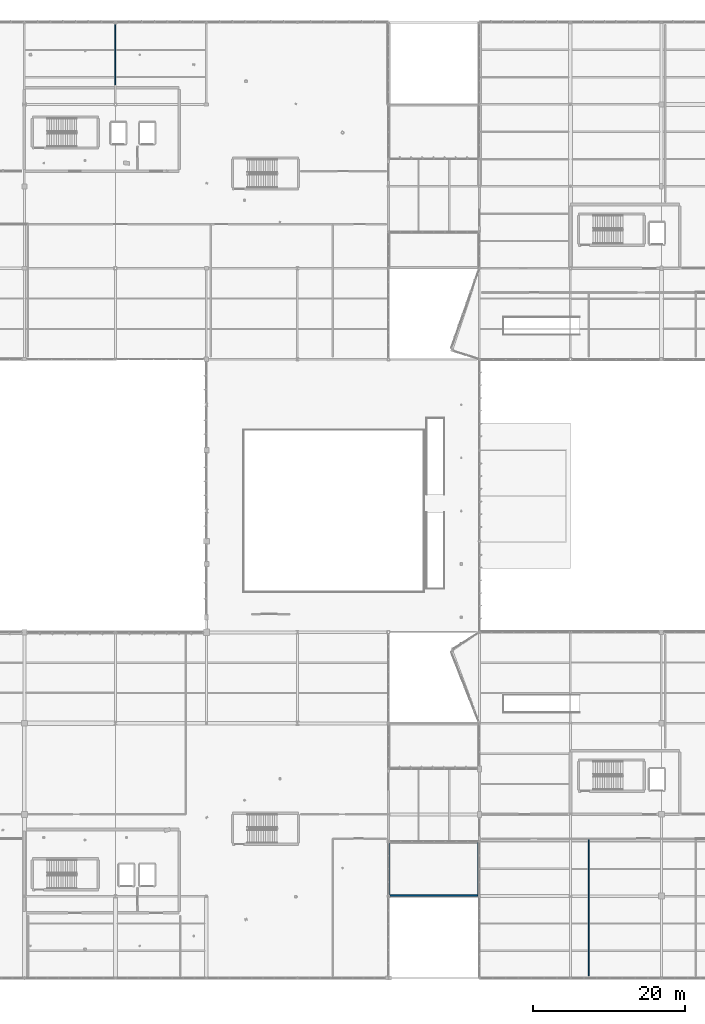
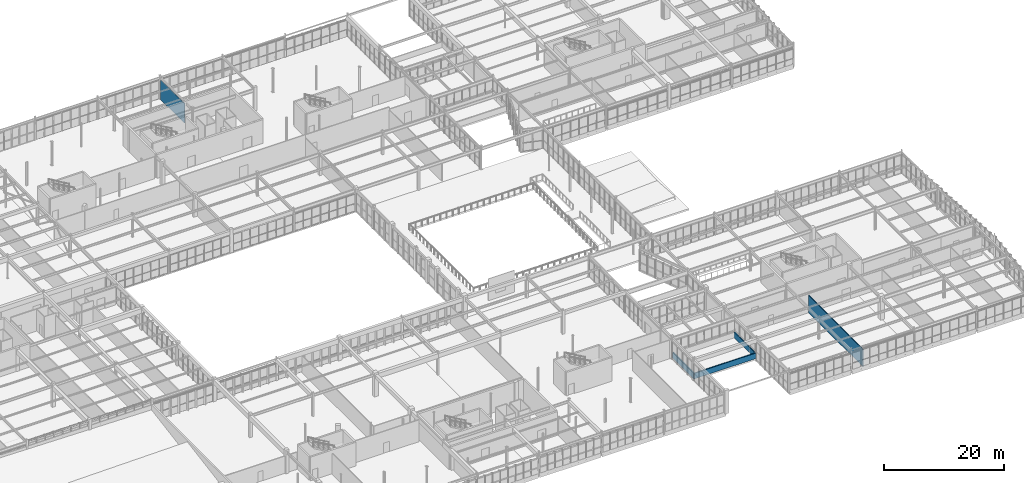
# One storey, part 196 of 226: 5 walls.
"""IFC4 building model written with IfcOpenShell, lengths in metres."""

import ifcopenshell
import ifcopenshell.guid

model = None  # the IFC model being written
_history = None  # IfcOwnerHistory: only IFC2X3 demands one
_inside = {}  # id of a spatial element -> (the spatial element, [elements in it])
_under = {}  # id of a project, library or spatial element -> (it, [spatial elements below it])
_declared = {}  # id of a project -> (the project, [libraries it declares])
_typed = {}  # id of a type object -> (the type object, [elements of that type])
_made_of = {}  # id of a material, layer set ... -> (it, [elements and type objects made of it])


def new_model(schema):
    """Start an empty IFC model of exactly this schema.

    Asked for "IFC4X3", IfcOpenShell would pick the latest addendum, in which some entities
    have other attributes; the version numbers below select the first issue.
    IFC2X3 requires an IfcOwnerHistory on every rooted entity: one is made here for all.
    """
    global model, _history
    if schema == "IFC4X3":
        model = ifcopenshell.file(schema_version=(4, 3, 0, 0))
    else:
        model = ifcopenshell.file(schema=schema)
    _inside.clear()
    _under.clear()
    _declared.clear()
    _typed.clear()
    _made_of.clear()
    _history = None
    if model.schema == "IFC2X3":
        org = make("IfcOrganization", Name="unknown")
        user = make(
            "IfcPersonAndOrganization",
            ThePerson=make("IfcPerson", FamilyName="unknown"),
            TheOrganization=org,
        )
        app = make(
            "IfcApplication",
            ApplicationDeveloper=org,
            Version="unknown",
            ApplicationFullName="unknown",
            ApplicationIdentifier="unknown",
        )
        _history = make(
            "IfcOwnerHistory",
            OwningUser=user,
            OwningApplication=app,
            ChangeAction="ADDED",
            CreationDate=0,
        )
    return model


def make(cls, **values):
    """One entity of the class cls with the attributes given. An attribute that is None is left unset."""
    return model.create_entity(
        cls, **{name: value for name, value in values.items() if value is not None}
    )


def rooted(cls, **values):
    """An entity with a GlobalId (a new one), such as an element, a storey or a relation."""
    return make(cls, GlobalId=ifcopenshell.guid.new(), OwnerHistory=_history, **values)


def si_unit(unit_type, name, prefix=None):
    """IfcSIUnit, for example si_unit("LENGTHUNIT", "METRE", prefix="MILLI")."""
    return make("IfcSIUnit", UnitType=unit_type, Prefix=prefix, Name=name)


def assignment(units):
    """IfcUnitAssignment: the units of a project."""
    return None if units is None else make("IfcUnitAssignment", Units=units)


def point(xyz):
    """IfcCartesianPoint."""
    return None if xyz is None else make("IfcCartesianPoint", Coordinates=xyz)


def direction(xyz):
    """IfcDirection."""
    return None if xyz is None else make("IfcDirection", DirectionRatios=xyz)


def frame(location, z_axis=None, x_axis=None):
    """IfcAxis2Placement3D, a coordinate frame: its origin and axes. An axis left out is left unset."""
    return make(
        "IfcAxis2Placement3D",
        Location=point(location),
        Axis=direction(z_axis),
        RefDirection=direction(x_axis),
    )


def frame_2d(location, x_axis=None):
    """IfcAxis2Placement2D, a coordinate frame in the plane: its origin and x axis."""
    return make(
        "IfcAxis2Placement2D", Location=point(location), RefDirection=direction(x_axis)
    )


def origin():
    """The frame at (0, 0, 0) with its axes left unset."""
    return frame((0.0, 0.0, 0.0))


def place(relative_to, where):
    """IfcLocalPlacement: puts the frame where relative to a parent placement (None: the world)."""
    return make(
        "IfcLocalPlacement", PlacementRelTo=relative_to, RelativePlacement=where
    )


def context(
    kind, dimensions, precision=None, world=None, true_north=None, identifier=None
):
    """IfcGeometricRepresentationContext, for example the 3D "Model" context."""
    return make(
        "IfcGeometricRepresentationContext",
        ContextIdentifier=identifier,
        ContextType=kind,
        CoordinateSpaceDimension=dimensions,
        Precision=precision,
        WorldCoordinateSystem=world,
        TrueNorth=true_north,
    )


def subcontext(parent, identifier, kind, view, scale=None):
    """IfcGeometricRepresentationSubContext, for example "Body" below "Model"."""
    return make(
        "IfcGeometricRepresentationSubContext",
        ContextIdentifier=identifier,
        ContextType=kind,
        ParentContext=parent,
        TargetScale=scale,
        TargetView=view,
    )


def project(units=None, contexts=None):
    """IfcProject with its units and contexts."""
    return rooted(
        "IfcProject",
        Name="project",
        RepresentationContexts=contexts,
        UnitsInContext=assignment(units),
    )


def spatial(cls, under=None, at=None, **own):
    """A site, building, storey or space (cls), placed at a placement, below another one or the project."""
    s = rooted(cls, ObjectPlacement=at, **own)
    if under is not None:
        _under.setdefault(under.id(), (under, []))[1].append(s)
    return s


def profile(cls, at=None, kind="AREA", **sizes):
    """A parametric profile (cls). Its sizes go by their IFC names, for example OverallWidth=200.0."""
    return make(cls, ProfileType=kind, Position=at, **sizes)


def rectangle(**sizes):
    """IfcRectangleProfileDef."""
    return profile("IfcRectangleProfileDef", **sizes)


def extrude(swept, where, along, depth):
    """IfcExtrudedAreaSolid: the profile swept, set in the frame where, extruded along a direction by depth."""
    return make(
        "IfcExtrudedAreaSolid",
        SweptArea=swept,
        Position=where,
        ExtrudedDirection=direction(along),
        Depth=depth,
    )


def shape(context_of_items, identifier, shape_type, items):
    """IfcShapeRepresentation: the items that make up one representation, for example the "Body"."""
    return make(
        "IfcShapeRepresentation",
        ContextOfItems=context_of_items,
        RepresentationIdentifier=identifier,
        RepresentationType=shape_type,
        Items=items,
    )


def material(Name=None, Category=None):
    """IfcMaterial."""
    return make("IfcMaterial", Name=Name, Category=Category)


def layer(
    of_material, thickness, ventilated=None, Name=None, Category=None, Priority=None
):
    """IfcMaterialLayer: one layer of a wall or slab, of a material (None: an air gap)."""
    return make(
        "IfcMaterialLayer",
        Material=of_material,
        LayerThickness=thickness,
        IsVentilated=ventilated,
        Name=Name,
        Category=Category,
        Priority=Priority,
    )


def layer_set(layers, Name=None):
    """IfcMaterialLayerSet."""
    return make("IfcMaterialLayerSet", MaterialLayers=layers, LayerSetName=Name)


def made_of(thing, what):
    """Note that an element or type object is made of a material, layer set ...; save() writes the relation."""
    if what is not None:
        _made_of.setdefault(what.id(), (what, []))[1].append(thing)
    return thing


def type_object(cls, material=None, **own):
    """A type object (cls), such as IfcWallType, which elements share."""
    return made_of(rooted(cls, **own), material)


def element(
    cls,
    number,
    at=None,
    inside=None,
    cuts=None,
    type_object=None,
    material=None,
    context=None,
    identifier="Body",
    shape_type=None,
    held_by="IfcProductDefinitionShape",
    body=None,
    shapes=None,
    **own,
):
    """One element of the class cls, such as IfcWall. Its Tag is "e" and its number.

    at: its placement. inside: the storey or other place that contains it. cuts: it is an
    opening in that element (IfcRelVoidsElement). A single representation is given by context,
    identifier, shape_type and body (its items); several are given by shapes. held_by: the class
    of the entity that holds the representations. save() writes the other relations.
    """
    e = rooted(cls, Tag="e%d" % number, ObjectPlacement=at, **own)
    if body is not None:
        shapes = [shape(context, identifier, shape_type, body)]
    if shapes is not None:
        e.Representation = make(held_by, Representations=shapes)
    if inside is not None:
        _inside.setdefault(inside.id(), (inside, []))[1].append(e)
    if cuts is not None:
        rooted(
            "IfcRelVoidsElement", RelatingBuildingElement=cuts, RelatedOpeningElement=e
        )
    if type_object is not None:
        _typed.setdefault(type_object.id(), (type_object, []))[1].append(e)
    return made_of(e, material)


def aggregate(whole, parts):
    """IfcRelAggregates: a whole, such as a stair, and the parts it consists of."""
    return rooted("IfcRelAggregates", RelatingObject=whole, RelatedObjects=parts)


def save(model, path):
    """Write the relations noted so far, then the file.

    IfcRelAggregates (storeys below a building ...), IfcRelContainedInSpatialStructure (elements
    in a storey), IfcRelDefinesByType, IfcRelAssociatesMaterial and IfcRelDeclares: one each for
    every whole, place, type object, material and project.
    """
    for whole, parts in _under.values():
        aggregate(whole, parts)
    for where, things in _inside.values():
        rooted(
            "IfcRelContainedInSpatialStructure",
            RelatedElements=things,
            RelatingStructure=where,
        )
    for kind, things in _typed.values():
        rooted("IfcRelDefinesByType", RelatedObjects=things, RelatingType=kind)
    for what, things in _made_of.values():
        rooted("IfcRelAssociatesMaterial", RelatedObjects=things, RelatingMaterial=what)
    for by, libraries in _declared.values():
        rooted("IfcRelDeclares", RelatingContext=by, RelatedDefinitions=libraries)
    model.write(path)


model = new_model("IFC4")

# Units and contexts
model_context = context("Model", 3, precision=1e-05, world=origin(), true_north=direction((0.0, 1.0)))
body_context = subcontext(model_context, "Body", "Model", "MODEL_VIEW")
ifc_project = project(units=[si_unit("LENGTHUNIT", "METRE"), si_unit("AREAUNIT", "SQUARE_METRE"), si_unit("VOLUMEUNIT", "CUBIC_METRE"), si_unit("PLANEANGLEUNIT", "RADIAN"), si_unit("MASSUNIT", "GRAM", prefix="KILO")], contexts=[model_context])

# Site, building, storey
site_placement = place(None, origin())
site = spatial("IfcSite", under=ifc_project, at=site_placement, CompositionType="ELEMENT")
building_placement = place(site_placement, origin())
building = spatial("IfcBuilding", under=site, at=building_placement, Name="Tarnwether General Hospital", CompositionType="ELEMENT")
storey_placement = place(building_placement, frame((0.0, 0.0, 4.800048828125)))
storey = spatial("IfcBuildingStorey", under=building, at=storey_placement, Name="L01", CompositionType="ELEMENT", Elevation=4.800048828125)

# Walls
ifc_material_1 = material(Name="Precast concrete 40 MPa", Category="concrete")
ifc_layer_1 = layer(ifc_material_1, 0.199951171875)
ifc_layer_set_1 = layer_set([ifc_layer_1], Name="Precast concrete 40 MPa")
wall_type_1 = type_object("IfcWallType", Name="WL-PR200", PredefinedType="PARAPET", material=ifc_layer_set_1)
wall_1_placement = place(storey_placement, frame((143.89990234375, 10.89990234375, 0.31005859375), z_axis=(0.0, 0.0, 1.0), x_axis=(-1.0, 0.0, 0.0)))
element("IfcWall", 1, at=wall_1_placement, inside=storey, type_object=wall_type_1, Name="Flat Roof Parapet EW-L01-0329", PredefinedType="PARAPET", context=body_context, shape_type="SweptSolid", body=[
    extrude(rectangle(XDim=11.7998046875, YDim=0.199951171875, at=frame_2d((5.89990234375, 0.0))), origin(), (0.0, 0.0, 1.0), 1.119873046875),
])
for number, where, z_axis, x_axis, name in (
    (2, (132.10009765625, 10.89990234375, 0.31005859375), (0.0, 0.0, 1.0), (0.0, 1.0, 0.0), "Flat Roof Parapet EW-L01-0330"),
    (3, (143.89990234375, 17.89990234375, 0.31005859375), (0.0, 0.0, 1.0), (0.0, -1.0, 0.0), "Flat Roof Parapet EW-L01-0332"),
):
    element("IfcWall", number, at=place(storey_placement, frame(where, z_axis=z_axis, x_axis=x_axis)), inside=storey, type_object=wall_type_1, Name=name, PredefinedType="PARAPET", context=body_context, shape_type="SweptSolid", body=[
        extrude(rectangle(XDim=7.0, YDim=0.199951171875, at=frame_2d((3.5, 0.0))), origin(), (0.0, 0.0, 1.0), 1.119873046875),
    ])
ifc_material_2 = material(Name="Gypsum plasterboard")
ifc_layer_2 = layer(ifc_material_2, 0.139892578125)
ifc_layer_set_2 = layer_set([ifc_layer_2], Name="Gypsum plasterboard")
wall_type_2 = type_object("IfcWallType", Name="WL-PT140", PredefinedType="PARTITIONING", material=ifc_layer_set_2)
wall_2_placement = place(storey_placement, frame((96.0, 117.800048828125, 0.0), z_axis=(0.0, 0.0, 1.0), x_axis=(0.0, 1.0, 0.0)))
element("IfcWall", 4, at=wall_2_placement, inside=storey, type_object=wall_type_2, Name="Interior Partition PT-L01-0203", PredefinedType="PARTITIONING", context=body_context, shape_type="SweptSolid", body=[
    extrude(rectangle(XDim=7.89990234375, YDim=0.139892578125, at=frame_2d((3.949951171875, 0.0))), origin(), (0.0, 0.0, 1.0), 3.969970703125),
])
wall_3_placement = place(storey_placement, frame((158.4189453125, 0.300048828125, 0.0), z_axis=(0.0, 0.0, 1.0), x_axis=(0.0, 1.0, 0.0)))
element("IfcWall", 5, at=wall_3_placement, inside=storey, type_object=wall_type_2, Name="Interior Partition PT-L01-0217", PredefinedType="PARTITIONING", context=body_context, shape_type="SweptSolid", body=[
    extrude(rectangle(XDim=18.099853515625, YDim=0.139892578125, at=frame_2d((9.0498046875, 0.0))), origin(), (0.0, 0.0, 1.0), 3.530029296875),
])

save(model, "model.ifc")
